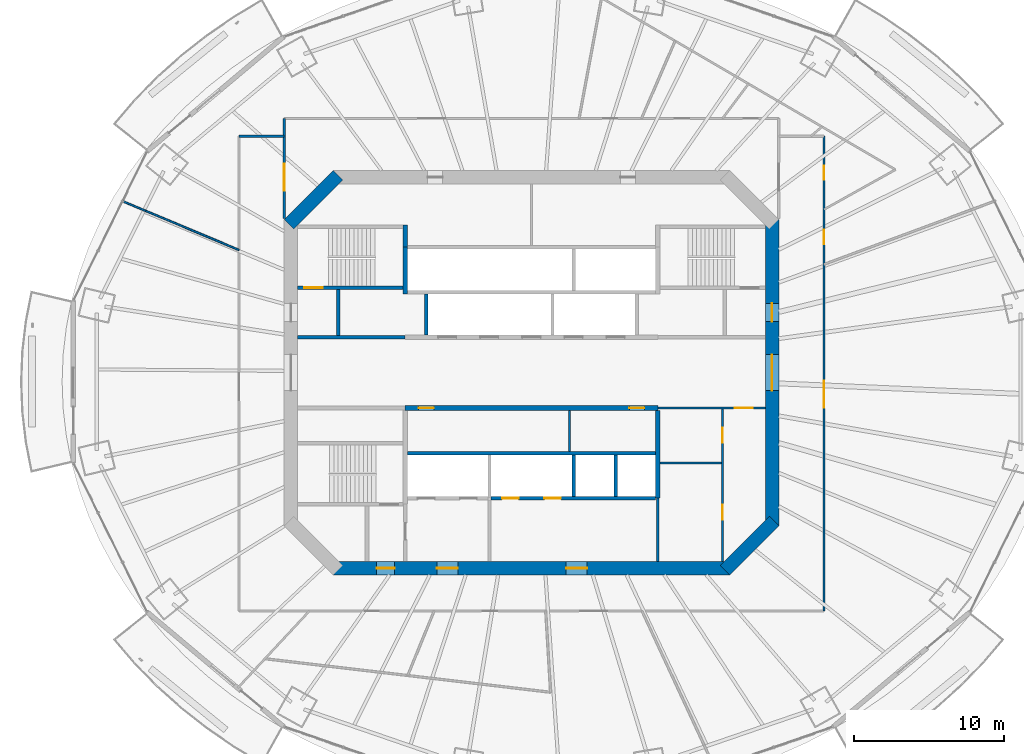
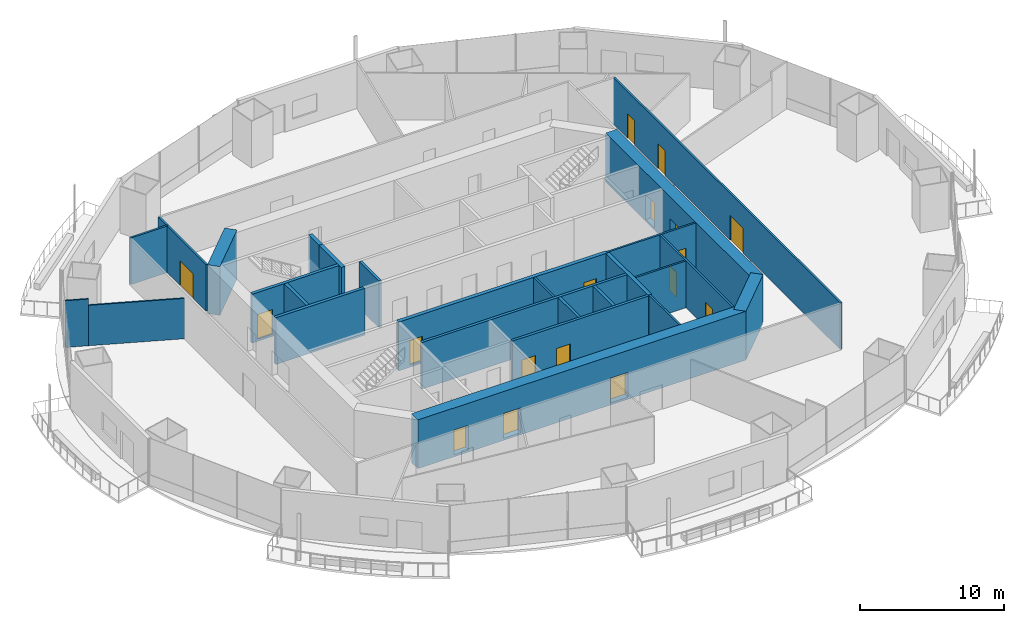
# One storey, part 13 of 21: 26 walls, 17 doors, 17 openings.
"""IFC4 building model written with IfcOpenShell, lengths in metres."""

from ifc_helpers import new_model, si_unit, direction, frame, frame_2d, origin, place, context, subcontext, project, spatial, rectangle, extrude, material, layer, layer_set, type_object, element, fill, save


model = new_model("IFC4")

# Units and contexts
model_context = context("Model", 3, precision=1e-05, world=origin(), true_north=direction((0.0, 1.0)))
body_context = subcontext(model_context, "Body", "Model", "MODEL_VIEW")
ifc_project = project(units=[si_unit("LENGTHUNIT", "METRE"), si_unit("AREAUNIT", "SQUARE_METRE"), si_unit("VOLUMEUNIT", "CUBIC_METRE"), si_unit("PLANEANGLEUNIT", "RADIAN"), si_unit("MASSUNIT", "GRAM", prefix="KILO")], contexts=[model_context])

# Site, building, storey
site_placement = place(None, origin())
site = spatial("IfcSite", under=ifc_project, at=site_placement, CompositionType="ELEMENT")
building_placement = place(site_placement, origin())
building = spatial("IfcBuilding", under=site, at=building_placement, Name="Marenthal Gate Tower", CompositionType="ELEMENT")
storey_placement = place(building_placement, frame((0.0, 0.0, 161.050048828125)))
storey = spatial("IfcBuildingStorey", under=building, at=storey_placement, Name="L34", CompositionType="ELEMENT", Elevation=161.050048828125)

# Wall
ifc_material_1 = material(Name="Concrete 60 MPa", Category="concrete")
ifc_layer_1 = layer(ifc_material_1, 0.89990234375)
ifc_layer_set_1 = layer_set([ifc_layer_1], Name="Core shear wall 900")
wall_type_1 = type_object("IfcWallType", Name="Core shear wall 900", PredefinedType="SHEAR", material=ifc_layer_set_1)
wall_1_placement = place(storey_placement, frame((12.8681640625, -13.1318359375, -0.179931640625), z_axis=(0.0, 0.0, 1.0), x_axis=(0.707106781187, 0.707106781187, 0.0)))
element("IfcWall", 1, at=wall_1_placement, inside=storey, type_object=wall_type_1, Name="Core wall 01", PredefinedType="SHEAR", context=body_context, shape_type="SweptSolid", body=[
    extrude(rectangle(XDim=4.615478515625, YDim=0.89990234375, at=frame_2d((2.3076171875, 0.0))), origin(), (0.0, 0.0, 1.0), 4.14990234375),
])

# Wall, openings, doors
wall_2_placement = place(storey_placement, frame((16.0, -10.186279296875, -0.179931640625), z_axis=(0.0, 0.0, 1.0), x_axis=(0.0, 1.0, 0.0)))
wall_2 = element("IfcWall", 2, at=wall_2_placement, inside=storey, type_object=wall_type_1, Name="Core wall 02", PredefinedType="SHEAR", context=body_context, shape_type="SweptSolid", body=[
    extrude(rectangle(XDim=20.37255859375, YDim=0.89990234375, at=frame_2d((10.186279296875, 0.0))), origin(), (0.0, 0.0, 1.0), 4.14990234375),
])
opening_1_placement = place(wall_2_placement, frame((8.986328125, 0.0, 0.179931640625)))
opening_1 = element("IfcOpeningElement", 3, at=opening_1_placement, cuts=wall_2, Name="Opening D003.02", PredefinedType="OPENING", context=body_context, shape_type="SweptSolid", body=[
    extrude(rectangle(XDim=2.39990234375, YDim=2.10009765625, at=frame_2d((1.199951171875, 1.050048828125))), frame((0.0, 0.4599609375, 0.0), z_axis=(0.0, -1.0, 0.0), x_axis=(1.0, 0.0, 0.0)), (0.0, 0.0, 1.0), 0.919921875),
])
opening_2_placement = place(wall_2_placement, frame((13.58642578125, 0.0, 0.179931640625)))
opening_2 = element("IfcOpeningElement", 4, at=opening_2_placement, cuts=wall_2, Name="Opening D001.05", PredefinedType="OPENING", context=body_context, shape_type="SweptSolid", body=[
    extrude(rectangle(XDim=1.199951171875, YDim=2.10009765625, at=frame_2d((0.60009765625, 1.050048828125))), frame((0.0, 0.4599609375, 0.0), z_axis=(0.0, -1.0, 0.0), x_axis=(1.0, 0.0, 0.0)), (0.0, 0.0, 1.0), 0.919921875),
])
ifc_material_2 = material(Name="Steel fire door", Category="steel")
door_type_1 = type_object("IfcDoorType", Name="Double fire door FD 45 2400 x 2100", OperationType="DOUBLE_DOOR_SINGLE_SWING", PredefinedType="DOOR", material=ifc_material_2)
door_1_placement = place(opening_1_placement, origin())
door_1 = element("IfcDoor", 5, at=door_1_placement, inside=storey, type_object=door_type_1, Name="Door D003.02", OperationType="DOUBLE_DOOR_SINGLE_SWING", OverallHeight=2.10009765625, OverallWidth=2.39990234375, PredefinedType="DOOR", context=body_context, shape_type="SweptSolid", body=[
    extrude(rectangle(XDim=2.39990234375, YDim=2.10009765625, at=frame_2d((1.199951171875, 1.050048828125))), frame((0.0, 0.02490234375, 0.0), z_axis=(0.0, -1.0, 0.0), x_axis=(1.0, 0.0, 0.0)), (0.0, 0.0, 1.0), 0.050048828125),
])
fill(opening_1, door_1)
ifc_material_3 = material(Name="Steel fire door", Category="steel")
door_type_2 = type_object("IfcDoorType", Name="Fire door FD 90 1200 x 2100", OperationType="NOTDEFINED", PredefinedType="DOOR", material=ifc_material_3)
door_2_placement = place(opening_2_placement, origin())
door_2 = element("IfcDoor", 6, at=door_2_placement, inside=storey, type_object=door_type_2, Name="Door D001.05", OperationType="SINGLE_SWING_RIGHT", OverallHeight=2.10009765625, OverallWidth=1.199951171875, PredefinedType="DOOR", context=body_context, shape_type="SweptSolid", body=[
    extrude(rectangle(XDim=1.199951171875, YDim=2.10009765625, at=frame_2d((0.60009765625, 1.050048828125))), frame((0.0, 0.02490234375, 0.0), z_axis=(0.0, -1.0, 0.0), x_axis=(1.0, 0.0, 0.0)), (0.0, 0.0, 1.0), 0.050048828125),
])
fill(opening_2, door_2)

# Wall
wall_3_placement = place(storey_placement, frame((-12.8681640625, 13.1318359375, -0.179931640625), z_axis=(0.0, 0.0, 1.0), x_axis=(-0.707106781187, -0.707106781187, 0.0)))
element("IfcWall", 7, at=wall_3_placement, inside=storey, type_object=wall_type_1, Name="Core wall 05", PredefinedType="SHEAR", context=body_context, shape_type="SweptSolid", body=[
    extrude(rectangle(XDim=4.615478515625, YDim=0.89990234375, at=frame_2d((2.3076171875, 0.0))), origin(), (0.0, 0.0, 1.0), 4.14990234375),
])

# Wall, openings, doors
wall_4_placement = place(storey_placement, frame((-13.186279296875, -13.0, -0.179931640625), z_axis=(0.0, 0.0, 1.0), x_axis=(1.0, 0.0, 0.0)))
wall_4 = element("IfcWall", 8, at=wall_4_placement, inside=storey, type_object=wall_type_1, Name="Core wall 08", PredefinedType="SHEAR", context=body_context, shape_type="SweptSolid", body=[
    extrude(rectangle(XDim=26.37255859375, YDim=0.89990234375, at=frame_2d((13.186279296875, 0.0))), origin(), (0.0, 0.0, 1.0), 4.14990234375),
])
opening_3_placement = place(wall_4_placement, frame((2.886474609375, 0.0, 0.179931640625)))
opening_3 = element("IfcOpeningElement", 9, at=opening_3_placement, cuts=wall_4, Name="Opening D001.06", PredefinedType="OPENING", context=body_context, shape_type="SweptSolid", body=[
    extrude(rectangle(XDim=1.199951171875, YDim=2.10009765625, at=frame_2d((0.60009765625, 1.050048828125))), frame((0.0, 0.4599609375, 0.0), z_axis=(0.0, -1.0, 0.0), x_axis=(1.0, 0.0, 0.0)), (0.0, 0.0, 1.0), 0.919921875),
])
opening_4_placement = place(wall_4_placement, frame((6.886474609375, 0.0, 0.179931640625)))
opening_4 = element("IfcOpeningElement", 10, at=opening_4_placement, cuts=wall_4, Name="Opening D004.01", PredefinedType="OPENING", context=body_context, shape_type="SweptSolid", body=[
    extrude(rectangle(XDim=1.39990234375, YDim=2.10009765625, at=frame_2d((0.699951171875, 1.050048828125))), frame((0.0, 0.4599609375, 0.0), z_axis=(0.0, -1.0, 0.0), x_axis=(1.0, 0.0, 0.0)), (0.0, 0.0, 1.0), 0.919921875),
])
opening_5_placement = place(wall_4_placement, frame((15.486328125, 0.0, 0.179931640625)))
opening_5 = element("IfcOpeningElement", 11, at=opening_5_placement, cuts=wall_4, Name="Opening D004.02", PredefinedType="OPENING", context=body_context, shape_type="SweptSolid", body=[
    extrude(rectangle(XDim=1.39990234375, YDim=2.10009765625, at=frame_2d((0.699951171875, 1.050048828125))), frame((0.0, 0.4599609375, 0.0), z_axis=(0.0, -1.0, 0.0), x_axis=(1.0, 0.0, 0.0)), (0.0, 0.0, 1.0), 0.919921875),
])
ifc_material_4 = material(Name="Steel fire door", Category="steel")
door_type_3 = type_object("IfcDoorType", Name="Fire door FD 45 1400 x 2100", OperationType="NOTDEFINED", PredefinedType="DOOR", material=ifc_material_4)
door_3_placement = place(opening_4_placement, origin())
door_3 = element("IfcDoor", 12, at=door_3_placement, inside=storey, type_object=door_type_3, Name="Door D004.01", OperationType="SINGLE_SWING_RIGHT", OverallHeight=2.10009765625, OverallWidth=1.39990234375, PredefinedType="DOOR", context=body_context, shape_type="SweptSolid", body=[
    extrude(rectangle(XDim=1.39990234375, YDim=2.10009765625, at=frame_2d((0.699951171875, 1.050048828125))), frame((0.0, 0.02490234375, 0.0), z_axis=(0.0, -1.0, 0.0), x_axis=(1.0, 0.0, 0.0)), (0.0, 0.0, 1.0), 0.050048828125),
])
fill(opening_4, door_3)
door_4_placement = place(opening_5_placement, origin())
door_4 = element("IfcDoor", 13, at=door_4_placement, inside=storey, type_object=door_type_3, Name="Door D004.02", OperationType="SINGLE_SWING_RIGHT", OverallHeight=2.10009765625, OverallWidth=1.39990234375, PredefinedType="DOOR", context=body_context, shape_type="SweptSolid", body=[
    extrude(rectangle(XDim=1.39990234375, YDim=2.10009765625, at=frame_2d((0.699951171875, 1.050048828125))), frame((0.0, 0.02490234375, 0.0), z_axis=(0.0, -1.0, 0.0), x_axis=(1.0, 0.0, 0.0)), (0.0, 0.0, 1.0), 0.050048828125),
])
fill(opening_5, door_4)
door_5_placement = place(opening_3_placement, origin())
door_5 = element("IfcDoor", 14, at=door_5_placement, inside=storey, type_object=door_type_2, Name="Door D001.06", OperationType="SINGLE_SWING_RIGHT", OverallHeight=2.10009765625, OverallWidth=1.199951171875, PredefinedType="DOOR", context=body_context, shape_type="SweptSolid", body=[
    extrude(rectangle(XDim=1.199951171875, YDim=2.10009765625, at=frame_2d((0.60009765625, 1.050048828125))), frame((0.0, 0.02490234375, 0.0), z_axis=(0.0, -1.0, 0.0), x_axis=(1.0, 0.0, 0.0)), (0.0, 0.0, 1.0), 0.050048828125),
])
fill(opening_3, door_5)

ifc_material_5 = material(Name="Concrete 50 MPa", Category="concrete")
ifc_layer_2 = layer(ifc_material_5, 0.300048828125)
ifc_layer_set_2 = layer_set([ifc_layer_2], Name="Hoistway shear wall 300")
wall_type_2 = type_object("IfcWallType", Name="Hoistway shear wall 300", PredefinedType="SHEAR", material=ifc_layer_set_2)
wall_5_placement = place(storey_placement, frame((-8.39990234375, -2.35009765625, -0.179931640625), z_axis=(0.0, 0.0, 1.0), x_axis=(1.0, 0.0, 0.0)))
wall_5 = element("IfcWall", 15, at=wall_5_placement, inside=storey, type_object=wall_type_2, Name="Hoistway wall 16", PredefinedType="SHEAR", context=body_context, shape_type="SweptSolid", body=[
    extrude(rectangle(XDim=16.7998046875, YDim=0.300048828125, at=frame_2d((8.39990234375, 0.0))), origin(), (0.0, 0.0, 1.0), 4.14990234375),
])
opening_6_placement = place(wall_5_placement, frame((0.89990234375, 0.0, 0.179931640625)))
opening_6 = element("IfcOpeningElement", 16, at=opening_6_placement, cuts=wall_5, Name="Opening D005.01", PredefinedType="OPENING", context=body_context, shape_type="SweptSolid", body=[
    extrude(rectangle(XDim=1.0, YDim=2.10009765625, at=frame_2d((0.5, 1.050048828125))), frame((0.0, 0.16015625, 0.0), z_axis=(0.0, -1.0, 0.0), x_axis=(1.0, 0.0, 0.0)), (0.0, 0.0, 1.0), 0.320068359375),
])
opening_7_placement = place(wall_5_placement, frame((14.89990234375, 0.0, 0.179931640625)))
opening_7 = element("IfcOpeningElement", 17, at=opening_7_placement, cuts=wall_5, Name="Opening D005.02", PredefinedType="OPENING", context=body_context, shape_type="SweptSolid", body=[
    extrude(rectangle(XDim=1.0, YDim=2.10009765625, at=frame_2d((0.5, 1.050048828125))), frame((0.0, 0.16015625, 0.0), z_axis=(0.0, -1.0, 0.0), x_axis=(1.0, 0.0, 0.0)), (0.0, 0.0, 1.0), 0.320068359375),
])
ifc_material_6 = material(Name="Steel fire door", Category="steel")
door_type_4 = type_object("IfcDoorType", Name="Fire door FD 45 1000 x 2100", OperationType="NOTDEFINED", PredefinedType="DOOR", material=ifc_material_6)
door_6_placement = place(opening_6_placement, frame((1.0, 0.0, 0.0), z_axis=(0.0, 0.0, 1.0), x_axis=(-1.0, 0.0, 0.0)))
door_6 = element("IfcDoor", 18, at=door_6_placement, inside=storey, type_object=door_type_4, Name="Door D005.01", OperationType="SINGLE_SWING_LEFT", OverallHeight=2.10009765625, OverallWidth=1.0, PredefinedType="DOOR", context=body_context, shape_type="SweptSolid", body=[
    extrude(rectangle(XDim=1.0, YDim=2.10009765625, at=frame_2d((0.5, 1.050048828125))), frame((0.0, 0.02490234375, 0.0), z_axis=(0.0, -1.0, 0.0), x_axis=(1.0, 0.0, 0.0)), (0.0, 0.0, 1.0), 0.050048828125),
])
fill(opening_6, door_6)
door_7_placement = place(opening_7_placement, frame((1.0, 0.0, 0.0), z_axis=(0.0, 0.0, 1.0), x_axis=(-1.0, 0.0, 0.0)))
door_7 = element("IfcDoor", 19, at=door_7_placement, inside=storey, type_object=door_type_4, Name="Door D005.02", OperationType="SINGLE_SWING_LEFT", OverallHeight=2.10009765625, OverallWidth=1.0, PredefinedType="DOOR", context=body_context, shape_type="SweptSolid", body=[
    extrude(rectangle(XDim=1.0, YDim=2.10009765625, at=frame_2d((0.5, 1.050048828125))), frame((0.0, 0.02490234375, 0.0), z_axis=(0.0, -1.0, 0.0), x_axis=(1.0, 0.0, 0.0)), (0.0, 0.0, 1.0), 0.050048828125),
])
fill(opening_7, door_7)

# Walls
wall_6_placement = place(storey_placement, frame((-8.39990234375, 5.239990234375, -0.179931640625), z_axis=(0.0, 0.0, 1.0), x_axis=(0.0, 1.0, 0.0)))
element("IfcWall", 20, at=wall_6_placement, inside=storey, type_object=wall_type_2, Name="Hoistway wall 31", PredefinedType="SHEAR", context=body_context, shape_type="SweptSolid", body=[
    extrude(rectangle(XDim=3.110107421875, YDim=0.300048828125, at=frame_2d((1.55517578125, 0.0))), origin(), (0.0, 0.0, 1.0), 4.14990234375),
])
wall_7_placement = place(storey_placement, frame((8.39990234375, -8.35009765625, -0.179931640625), z_axis=(0.0, 0.0, 1.0), x_axis=(0.0, 1.0, 0.0)))
element("IfcWall", 21, at=wall_7_placement, inside=storey, type_object=wall_type_2, Name="Hoistway wall 44", PredefinedType="SHEAR", context=body_context, shape_type="SweptSolid", body=[
    extrude(rectangle(XDim=5.85009765625, YDim=0.300048828125, at=frame_2d((2.925048828125, 0.0))), origin(), (0.0, 0.0, 1.0), 4.14990234375),
])

# Wall, openings, doors
ifc_material_7 = material(Name="Concrete 40 MPa", Category="concrete")
ifc_layer_3 = layer(ifc_material_7, 0.219970703125)
ifc_layer_set_3 = layer_set([ifc_layer_3], Name="Hoistway wall 220")
wall_type_3 = type_object("IfcWallType", Name="Hoistway wall 220", PredefinedType="STANDARD", material=ifc_layer_set_3)
wall_8_placement = place(storey_placement, frame((-2.68994140625, -8.35009765625, 0.0), z_axis=(0.0, 0.0, 1.0), x_axis=(1.0, 0.0, 0.0)))
wall_8 = element("IfcWall", 22, at=wall_8_placement, inside=storey, type_object=wall_type_3, Name="Hoistway wall 11", PredefinedType="STANDARD", context=body_context, shape_type="SweptSolid", body=[
    extrude(rectangle(XDim=10.93994140625, YDim=0.219970703125, at=frame_2d((5.469970703125, 0.0))), origin(), (0.0, 0.0, 1.0), 3.969970703125),
])
opening_8_placement = place(wall_8_placement, frame((0.739990234375, 0.0, 0.0)))
opening_8 = element("IfcOpeningElement", 23, at=opening_8_placement, cuts=wall_8, Name="Opening LD-SV1", PredefinedType="OPENING", context=body_context, shape_type="SweptSolid", body=[
    extrude(rectangle(XDim=1.10009765625, YDim=2.10009765625, at=frame_2d((0.550048828125, 1.050048828125))), frame((0.0, 0.1201171875, 0.0), z_axis=(0.0, -1.0, 0.0), x_axis=(1.0, 0.0, 0.0)), (0.0, 0.0, 1.0), 0.239990234375),
])
opening_9_placement = place(wall_8_placement, frame((3.5400390625, 0.0, 0.0)))
opening_9 = element("IfcOpeningElement", 24, at=opening_9_placement, cuts=wall_8, Name="Opening LD-SV2", PredefinedType="OPENING", context=body_context, shape_type="SweptSolid", body=[
    extrude(rectangle(XDim=1.10009765625, YDim=2.10009765625, at=frame_2d((0.550048828125, 1.050048828125))), frame((0.0, 0.1201171875, 0.0), z_axis=(0.0, -1.0, 0.0), x_axis=(1.0, 0.0, 0.0)), (0.0, 0.0, 1.0), 0.239990234375),
])
ifc_material_8 = material(Name="Stainless steel sliding door", Category="steel")
door_type_5 = type_object("IfcDoorType", Name="Lift landing door FD 90 1100 x 2100", OperationType="DOUBLE_DOOR_SLIDING", PredefinedType="DOOR", material=ifc_material_8)
door_8_placement = place(opening_8_placement, origin())
door_8 = element("IfcDoor", 25, at=door_8_placement, inside=storey, type_object=door_type_5, Name="Lift landing door SV1", OperationType="DOUBLE_DOOR_SLIDING", OverallHeight=2.10009765625, OverallWidth=1.10009765625, PredefinedType="DOOR", context=body_context, shape_type="SweptSolid", body=[
    extrude(rectangle(XDim=1.10009765625, YDim=2.10009765625, at=frame_2d((0.550048828125, 1.050048828125))), frame((0.0, 0.02490234375, 0.0), z_axis=(0.0, -1.0, 0.0), x_axis=(1.0, 0.0, 0.0)), (0.0, 0.0, 1.0), 0.050048828125),
])
fill(opening_8, door_8)
door_9_placement = place(opening_9_placement, origin())
door_9 = element("IfcDoor", 26, at=door_9_placement, inside=storey, type_object=door_type_5, Name="Lift landing door SV2", OperationType="DOUBLE_DOOR_SLIDING", OverallHeight=2.10009765625, OverallWidth=1.10009765625, PredefinedType="DOOR", context=body_context, shape_type="SweptSolid", body=[
    extrude(rectangle(XDim=1.10009765625, YDim=2.10009765625, at=frame_2d((0.550048828125, 1.050048828125))), frame((0.0, 0.02490234375, 0.0), z_axis=(0.0, -1.0, 0.0), x_axis=(1.0, 0.0, 0.0)), (0.0, 0.0, 1.0), 0.050048828125),
])
fill(opening_9, door_9)

# Walls
wall_9_placement = place(storey_placement, frame((-8.25, -5.35009765625, 0.0), z_axis=(0.0, 0.0, 1.0), x_axis=(1.0, 0.0, 0.0)))
element("IfcWall", 27, at=wall_9_placement, inside=storey, type_object=wall_type_3, Name="Hoistway wall 13", PredefinedType="STANDARD", context=body_context, shape_type="SweptSolid", body=[
    extrude(rectangle(XDim=16.5, YDim=0.219970703125, at=frame_2d((8.25, 0.0))), origin(), (0.0, 0.0, 1.0), 3.969970703125),
])
wall_10_placement = place(storey_placement, frame((-7.0, 2.5, 0.0), z_axis=(0.0, 0.0, 1.0), x_axis=(0.0, 1.0, 0.0)))
element("IfcWall", 28, at=wall_10_placement, inside=storey, type_object=wall_type_3, Name="Hoistway wall 33", PredefinedType="STANDARD", context=body_context, shape_type="SweptSolid", body=[
    extrude(rectangle(XDim=2.739990234375, YDim=0.219970703125, at=frame_2d((1.3701171875, 0.0))), origin(), (0.0, 0.0, 1.0), 3.969970703125),
])
for number, where, z_axis, x_axis, name in (
    (29, (2.800048828125, -8.239990234375, 0.0), (0.0, 0.0, 1.0), (0.0, 1.0, 0.0), "Hoistway wall 39"),
    (30, (5.60009765625, -8.239990234375, 0.0), (0.0, 0.0, 1.0), (0.0, 1.0, 0.0), "Hoistway wall 41"),
):
    element("IfcWall", number, at=place(storey_placement, frame(where, z_axis=z_axis, x_axis=x_axis)), inside=storey, type_object=wall_type_3, Name=name, PredefinedType="STANDARD", context=body_context, shape_type="SweptSolid", body=[
        extrude(rectangle(XDim=2.780029296875, YDim=0.219970703125, at=frame_2d((1.39013671875, 0.0))), origin(), (0.0, 0.0, 1.0), 3.969970703125),
    ])
ifc_material_9 = material(Name="Gypsum board on steel studs", Category="steel")
ifc_layer_4 = layer(ifc_material_9, 0.1201171875)
ifc_layer_set_4 = layer_set([ifc_layer_4], Name="Partition 120")
wall_type_4 = type_object("IfcWallType", Name="Partition 120", PredefinedType="PARTITIONING", material=ifc_layer_set_4)
wall_11_placement = place(storey_placement, frame((-19.449951171875, 8.156494140625, 0.0), z_axis=(0.0, 0.0, 1.0), x_axis=(-0.922204794335, 0.386701845489, 0.0)))
element("IfcWall", 31, at=wall_11_placement, inside=storey, type_object=wall_type_4, Name="Partition wall 50", PredefinedType="PARTITIONING", context=body_context, shape_type="SweptSolid", body=[
    extrude(rectangle(XDim=6.743408203125, YDim=0.1201171875, at=frame_2d((3.37158203125, 0.0))), origin(), (0.0, 0.0, 1.0), 3.433837890625),
])
wall_12_placement = place(storey_placement, frame((-25.668701171875, 10.76416015625, 0.0), z_axis=(0.0, 0.0, 1.0), x_axis=(-0.922189295002, 0.386738806151, 0.0)))
element("IfcWall", 32, at=wall_12_placement, inside=storey, type_object=wall_type_4, Name="Partition wall 70", PredefinedType="PARTITIONING", context=body_context, shape_type="SweptSolid", body=[
    extrude(rectangle(XDim=1.656494140625, YDim=0.1201171875, at=frame_2d((0.828125, 0.0))), origin(), (0.0, 0.0, 1.0), 3.969970703125),
])
ifc_material_10 = material(Name="Gypsum board on steel studs", Category="steel")
ifc_layer_5 = layer(ifc_material_10, 0.14990234375)
ifc_layer_set_5 = layer_set([ifc_layer_5], Name="Partition 150")
wall_type_5 = type_object("IfcWallType", Name="Partition 150", PredefinedType="PARTITIONING", material=ifc_layer_set_5)
wall_13_placement = place(storey_placement, frame((8.550048828125, -6.0, 0.0), z_axis=(0.0, 0.0, 1.0), x_axis=(1.0, 0.0, 0.0)))
element("IfcWall", 33, at=wall_13_placement, inside=storey, type_object=wall_type_5, Name="Partition wall 12", PredefinedType="PARTITIONING", context=body_context, shape_type="SweptSolid", body=[
    extrude(rectangle(XDim=4.074951171875, YDim=0.14990234375, at=frame_2d((2.03759765625, 0.0))), origin(), (0.0, 0.0, 1.0), 3.969970703125),
])

# Wall, opening, door
wall_14_placement = place(storey_placement, frame((8.39990234375, -2.35009765625, 0.0), z_axis=(0.0, 0.0, 1.0), x_axis=(1.0, 0.0, 0.0)))
wall_14 = element("IfcWall", 34, at=wall_14_placement, inside=storey, type_object=wall_type_5, Name="Partition wall 17", PredefinedType="PARTITIONING", context=body_context, shape_type="SweptSolid", body=[
    extrude(rectangle(XDim=7.150146484375, YDim=0.14990234375, at=frame_2d((3.5751953125, 0.0))), origin(), (0.0, 0.0, 1.0), 3.969970703125),
])
opening_10_placement = place(wall_14_placement, frame((5.125, 0.0, 0.0)))
opening_10 = element("IfcOpeningElement", 35, at=opening_10_placement, cuts=wall_14, Name="Opening D006.01", PredefinedType="OPENING", context=body_context, shape_type="SweptSolid", body=[
    extrude(rectangle(XDim=1.199951171875, YDim=2.10009765625, at=frame_2d((0.60009765625, 1.050048828125))), frame((0.0, 0.0849609375, 0.0), z_axis=(0.0, -1.0, 0.0), x_axis=(1.0, 0.0, 0.0)), (0.0, 0.0, 1.0), 0.169921875),
])
ifc_material_11 = material(Name="Steel fire door", Category="steel")
door_type_6 = type_object("IfcDoorType", Name="Fire door FD 45 1200 x 2100", OperationType="NOTDEFINED", PredefinedType="DOOR", material=ifc_material_11)
door_10_placement = place(opening_10_placement, frame((1.199951171875, 0.0, 0.0), z_axis=(0.0, 0.0, 1.0), x_axis=(-1.0, 0.0, 0.0)))
door_10 = element("IfcDoor", 36, at=door_10_placement, inside=storey, type_object=door_type_6, Name="Door D006.01", OperationType="SINGLE_SWING_LEFT", OverallHeight=2.10009765625, OverallWidth=1.199951171875, PredefinedType="DOOR", context=body_context, shape_type="SweptSolid", body=[
    extrude(rectangle(XDim=1.199951171875, YDim=2.10009765625, at=frame_2d((0.60009765625, 1.050048828125))), frame((0.0, 0.02490234375, 0.0), z_axis=(0.0, -1.0, 0.0), x_axis=(1.0, 0.0, 0.0)), (0.0, 0.0, 1.0), 0.050048828125),
])
fill(opening_10, door_10)

# Walls
wall_15_placement = place(storey_placement, frame((2.52001953125, -5.239990234375, 0.0), z_axis=(0.0, 0.0, 1.0), x_axis=(0.0, 1.0, 0.0)))
element("IfcWall", 37, at=wall_15_placement, inside=storey, type_object=wall_type_5, Name="Partition wall 38", PredefinedType="PARTITIONING", context=body_context, shape_type="SweptSolid", body=[
    extrude(rectangle(XDim=2.739990234375, YDim=0.14990234375, at=frame_2d((1.3701171875, 0.0))), origin(), (0.0, 0.0, 1.0), 3.969970703125),
])
wall_16_placement = place(storey_placement, frame((8.39990234375, -12.550048828125, 0.0), z_axis=(0.0, 0.0, 1.0), x_axis=(0.0, 1.0, 0.0)))
element("IfcWall", 38, at=wall_16_placement, inside=storey, type_object=wall_type_5, Name="Partition wall 43", PredefinedType="PARTITIONING", context=body_context, shape_type="SweptSolid", body=[
    extrude(rectangle(XDim=4.199951171875, YDim=0.14990234375, at=frame_2d((2.10009765625, 0.0))), origin(), (0.0, 0.0, 1.0), 3.969970703125),
])

# Wall, openings, doors
wall_17_placement = place(storey_placement, frame((12.699951171875, -12.550048828125, 0.0), z_axis=(0.0, 0.0, 1.0), x_axis=(0.0, 1.0, 0.0)))
wall_17 = element("IfcWall", 39, at=wall_17_placement, inside=storey, type_object=wall_type_5, Name="Partition wall 47", PredefinedType="PARTITIONING", context=body_context, shape_type="SweptSolid", body=[
    extrude(rectangle(XDim=10.125, YDim=0.14990234375, at=frame_2d((5.0625, 0.0))), origin(), (0.0, 0.0, 1.0), 3.969970703125),
])
opening_11_placement = place(wall_17_placement, frame((7.875, 0.0, 0.0)))
opening_11 = element("IfcOpeningElement", 40, at=opening_11_placement, cuts=wall_17, Name="Opening D005.05", PredefinedType="OPENING", context=body_context, shape_type="SweptSolid", body=[
    extrude(rectangle(XDim=1.0, YDim=2.10009765625, at=frame_2d((0.5, 1.050048828125))), frame((0.0, 0.0849609375, 0.0), z_axis=(0.0, -1.0, 0.0), x_axis=(1.0, 0.0, 0.0)), (0.0, 0.0, 1.0), 0.169921875),
])
opening_12_placement = place(wall_17_placement, frame((2.77490234375, 0.0, 0.0)))
opening_12 = element("IfcOpeningElement", 41, at=opening_12_placement, cuts=wall_17, Name="Opening D005.06", PredefinedType="OPENING", context=body_context, shape_type="SweptSolid", body=[
    extrude(rectangle(XDim=1.0, YDim=2.10009765625, at=frame_2d((0.5, 1.050048828125))), frame((0.0, 0.0849609375, 0.0), z_axis=(0.0, -1.0, 0.0), x_axis=(1.0, 0.0, 0.0)), (0.0, 0.0, 1.0), 0.169921875),
])
door_11_placement = place(opening_11_placement, origin())
door_11 = element("IfcDoor", 42, at=door_11_placement, inside=storey, type_object=door_type_4, Name="Door D005.05", OperationType="SINGLE_SWING_RIGHT", OverallHeight=2.10009765625, OverallWidth=1.0, PredefinedType="DOOR", context=body_context, shape_type="SweptSolid", body=[
    extrude(rectangle(XDim=1.0, YDim=2.10009765625, at=frame_2d((0.5, 1.050048828125))), frame((0.0, 0.02490234375, 0.0), z_axis=(0.0, -1.0, 0.0), x_axis=(1.0, 0.0, 0.0)), (0.0, 0.0, 1.0), 0.050048828125),
])
fill(opening_11, door_11)
door_12_placement = place(opening_12_placement, origin())
door_12 = element("IfcDoor", 43, at=door_12_placement, inside=storey, type_object=door_type_4, Name="Door D005.06", OperationType="SINGLE_SWING_RIGHT", OverallHeight=2.10009765625, OverallWidth=1.0, PredefinedType="DOOR", context=body_context, shape_type="SweptSolid", body=[
    extrude(rectangle(XDim=1.0, YDim=2.10009765625, at=frame_2d((0.5, 1.050048828125))), frame((0.0, 0.02490234375, 0.0), z_axis=(0.0, -1.0, 0.0), x_axis=(1.0, 0.0, 0.0)), (0.0, 0.0, 1.0), 0.050048828125),
])
fill(opening_12, door_12)

# Wall
wall_18_placement = place(storey_placement, frame((-19.449951171875, 15.731689453125, 0.0), z_axis=(0.0, 0.0, 1.0), x_axis=(1.0, 0.0, 0.0)))
element("IfcWall", 44, at=wall_18_placement, inside=storey, type_object=wall_type_5, Name="Partition wall 51", PredefinedType="PARTITIONING", context=body_context, shape_type="SweptSolid", body=[
    extrude(rectangle(XDim=3.0, YDim=0.14990234375, at=frame_2d((1.5, 0.0))), origin(), (0.0, 0.0, 1.0), 3.969970703125),
])

# Wall, opening, door
wall_19_placement = place(storey_placement, frame((-16.449951171875, 10.25, 0.0), z_axis=(0.0, 0.0, 1.0), x_axis=(0.0, 1.0, 0.0)))
wall_19 = element("IfcWall", 45, at=wall_19_placement, inside=storey, type_object=wall_type_5, Name="Partition wall 53", PredefinedType="PARTITIONING", context=body_context, shape_type="SweptSolid", body=[
    extrude(rectangle(XDim=6.65380859375, YDim=0.14990234375, at=frame_2d((3.326904296875, 0.0))), origin(), (0.0, 0.0, 1.0), 3.969970703125),
])
opening_13_placement = place(wall_19_placement, frame((1.841064453125, 0.0, 0.0)))
opening_13 = element("IfcOpeningElement", 46, at=opening_13_placement, cuts=wall_19, Name="Opening D014.05", PredefinedType="OPENING", context=body_context, shape_type="SweptSolid", body=[
    extrude(rectangle(XDim=1.800048828125, YDim=2.10009765625, at=frame_2d((0.89990234375, 1.050048828125))), frame((0.0, 0.0849609375, 0.0), z_axis=(0.0, -1.0, 0.0), x_axis=(1.0, 0.0, 0.0)), (0.0, 0.0, 1.0), 0.169921875),
])
ifc_material_12 = material(Name="Timber door", Category="wood")
door_type_7 = type_object("IfcDoorType", Name="Double door 1800 x 2100", OperationType="DOUBLE_DOOR_SINGLE_SWING", PredefinedType="DOOR", material=ifc_material_12)
door_13_placement = place(opening_13_placement, origin())
door_13 = element("IfcDoor", 47, at=door_13_placement, inside=storey, type_object=door_type_7, Name="Door D014.05", OperationType="DOUBLE_DOOR_SINGLE_SWING", OverallHeight=2.10009765625, OverallWidth=1.800048828125, PredefinedType="DOOR", context=body_context, shape_type="SweptSolid", body=[
    extrude(rectangle(XDim=1.800048828125, YDim=2.10009765625, at=frame_2d((0.89990234375, 1.050048828125))), frame((0.0, 0.02490234375, 0.0), z_axis=(0.0, -1.0, 0.0), x_axis=(1.0, 0.0, 0.0)), (0.0, 0.0, 1.0), 0.050048828125),
])
fill(opening_13, door_13)

# Wall, openings, doors
wall_20_placement = place(storey_placement, frame((19.449951171875, 15.731689453125, 0.0), z_axis=(0.0, 0.0, 1.0), x_axis=(0.0, -1.0, 0.0)))
wall_20 = element("IfcWall", 48, at=wall_20_placement, inside=storey, type_object=wall_type_5, Name="Partition wall 67", PredefinedType="PARTITIONING", context=body_context, shape_type="SweptSolid", body=[
    extrude(rectangle(XDim=31.581787109375, YDim=0.14990234375, at=frame_2d((15.791015625, 0.0))), origin(), (0.0, 0.0, 1.0), 3.969970703125),
])
opening_14_placement = place(wall_20_placement, frame((1.966064453125, 0.0, 0.0)))
opening_14 = element("IfcOpeningElement", 49, at=opening_14_placement, cuts=wall_20, Name="Opening D016.01", PredefinedType="OPENING", context=body_context, shape_type="SweptSolid", body=[
    extrude(rectangle(XDim=0.949951171875, YDim=2.10009765625, at=frame_2d((0.47509765625, 1.050048828125))), frame((0.0, 0.0849609375, 0.0), z_axis=(0.0, -1.0, 0.0), x_axis=(1.0, 0.0, 0.0)), (0.0, 0.0, 1.0), 0.169921875),
])
opening_15_placement = place(wall_20_placement, frame((6.22998046875, 0.0, 0.0)))
opening_15 = element("IfcOpeningElement", 50, at=opening_15_placement, cuts=wall_20, Name="Opening D016.05", PredefinedType="OPENING", context=body_context, shape_type="SweptSolid", body=[
    extrude(rectangle(XDim=0.949951171875, YDim=2.10009765625, at=frame_2d((0.47509765625, 1.050048828125))), frame((0.0, 0.0849609375, 0.0), z_axis=(0.0, -1.0, 0.0), x_axis=(1.0, 0.0, 0.0)), (0.0, 0.0, 1.0), 0.169921875),
])
opening_16_placement = place(wall_20_placement, frame((16.2548828125, 0.0, 0.0)))
opening_16 = element("IfcOpeningElement", 51, at=opening_16_placement, cuts=wall_20, Name="Opening D014.04", PredefinedType="OPENING", context=body_context, shape_type="SweptSolid", body=[
    extrude(rectangle(XDim=1.800048828125, YDim=2.10009765625, at=frame_2d((0.89990234375, 1.050048828125))), frame((0.0, 0.0849609375, 0.0), z_axis=(0.0, -1.0, 0.0), x_axis=(1.0, 0.0, 0.0)), (0.0, 0.0, 1.0), 0.169921875),
])
ifc_material_13 = material(Name="Timber door", Category="wood")
door_type_8 = type_object("IfcDoorType", Name="Door 950 x 2100", OperationType="NOTDEFINED", PredefinedType="DOOR", material=ifc_material_13)
door_14_placement = place(opening_14_placement, origin())
door_14 = element("IfcDoor", 52, at=door_14_placement, inside=storey, type_object=door_type_8, Name="Door D016.01", OperationType="SINGLE_SWING_RIGHT", OverallHeight=2.10009765625, OverallWidth=0.949951171875, PredefinedType="DOOR", context=body_context, shape_type="SweptSolid", body=[
    extrude(rectangle(XDim=0.949951171875, YDim=2.10009765625, at=frame_2d((0.47509765625, 1.050048828125))), frame((0.0, 0.02490234375, 0.0), z_axis=(0.0, -1.0, 0.0), x_axis=(1.0, 0.0, 0.0)), (0.0, 0.0, 1.0), 0.050048828125),
])
fill(opening_14, door_14)
door_15_placement = place(opening_15_placement, origin())
door_15 = element("IfcDoor", 53, at=door_15_placement, inside=storey, type_object=door_type_8, Name="Door D016.05", OperationType="SINGLE_SWING_RIGHT", OverallHeight=2.10009765625, OverallWidth=0.949951171875, PredefinedType="DOOR", context=body_context, shape_type="SweptSolid", body=[
    extrude(rectangle(XDim=0.949951171875, YDim=2.10009765625, at=frame_2d((0.47509765625, 1.050048828125))), frame((0.0, 0.02490234375, 0.0), z_axis=(0.0, -1.0, 0.0), x_axis=(1.0, 0.0, 0.0)), (0.0, 0.0, 1.0), 0.050048828125),
])
fill(opening_15, door_15)
door_16_placement = place(opening_16_placement, origin())
door_16 = element("IfcDoor", 54, at=door_16_placement, inside=storey, type_object=door_type_7, Name="Door D014.04", OperationType="DOUBLE_DOOR_SINGLE_SWING", OverallHeight=2.10009765625, OverallWidth=1.800048828125, PredefinedType="DOOR", context=body_context, shape_type="SweptSolid", body=[
    extrude(rectangle(XDim=1.800048828125, YDim=2.10009765625, at=frame_2d((0.89990234375, 1.050048828125))), frame((0.0, 0.02490234375, 0.0), z_axis=(0.0, -1.0, 0.0), x_axis=(1.0, 0.0, 0.0)), (0.0, 0.0, 1.0), 0.050048828125),
])
fill(opening_16, door_16)

# Walls
ifc_material_14 = material(Name="Concrete 40 MPa", Category="concrete")
ifc_layer_6 = layer(ifc_material_14, 0.25)
ifc_layer_set_6 = layer_set([ifc_layer_6], Name="Stair enclosure wall 250")
wall_type_6 = type_object("IfcWallType", Name="Stair enclosure wall 250", PredefinedType="STANDARD", material=ifc_layer_set_6)
wall_21_placement = place(storey_placement, frame((-15.550048828125, 2.35009765625, 0.0), z_axis=(0.0, 0.0, 1.0), x_axis=(1.0, 0.0, 0.0)))
element("IfcWall", 55, at=wall_21_placement, inside=storey, type_object=wall_type_6, Name="Stair wall 18", PredefinedType="STANDARD", context=body_context, shape_type="SweptSolid", body=[
    extrude(rectangle(XDim=7.150146484375, YDim=0.25, at=frame_2d((3.5751953125, 0.0))), origin(), (0.0, 0.0, 1.0), 3.969970703125),
])
wall_22_placement = place(storey_placement, frame((-12.85009765625, 2.47509765625, 0.0), z_axis=(0.0, 0.0, 1.0), x_axis=(0.0, 1.0, 0.0)))
element("IfcWall", 56, at=wall_22_placement, inside=storey, type_object=wall_type_6, Name="Stair wall 27", PredefinedType="STANDARD", context=body_context, shape_type="SweptSolid", body=[
    extrude(rectangle(XDim=3.0498046875, YDim=0.25, at=frame_2d((1.52490234375, 0.0))), origin(), (0.0, 0.0, 1.0), 3.969970703125),
])

# Wall, opening, door
ifc_material_15 = material(Name="Concrete 50 MPa", Category="concrete")
ifc_layer_7 = layer(ifc_material_15, 0.25)
ifc_layer_set_7 = layer_set([ifc_layer_7], Name="Stair shear wall 250")
wall_type_7 = type_object("IfcWallType", Name="Stair shear wall 250", PredefinedType="SHEAR", material=ifc_layer_set_7)
wall_23_placement = place(storey_placement, frame((-15.550048828125, 5.64990234375, -0.179931640625), z_axis=(0.0, 0.0, 1.0), x_axis=(1.0, 0.0, 0.0)))
wall_23 = element("IfcWall", 57, at=wall_23_placement, inside=storey, type_object=wall_type_7, Name="Stair wall 22", PredefinedType="SHEAR", context=body_context, shape_type="SweptSolid", body=[
    extrude(rectangle(XDim=7.0, YDim=0.25, at=frame_2d((3.5, 0.0))), origin(), (0.0, 0.0, 1.0), 4.14990234375),
])
opening_17_placement = place(wall_23_placement, frame((0.449951171875, 0.0, 0.179931640625)))
opening_17 = element("IfcOpeningElement", 58, at=opening_17_placement, cuts=wall_23, Name="Opening D001.01", PredefinedType="OPENING", context=body_context, shape_type="SweptSolid", body=[
    extrude(rectangle(XDim=1.199951171875, YDim=2.10009765625, at=frame_2d((0.60009765625, 1.050048828125))), frame((0.0, 0.135009765625, 0.0), z_axis=(0.0, -1.0, 0.0), x_axis=(1.0, 0.0, 0.0)), (0.0, 0.0, 1.0), 0.27001953125),
])
door_17_placement = place(opening_17_placement, origin())
door_17 = element("IfcDoor", 59, at=door_17_placement, inside=storey, type_object=door_type_2, Name="Door D001.01", OperationType="SINGLE_SWING_RIGHT", OverallHeight=2.10009765625, OverallWidth=1.199951171875, PredefinedType="DOOR", context=body_context, shape_type="SweptSolid", body=[
    extrude(rectangle(XDim=1.199951171875, YDim=2.10009765625, at=frame_2d((0.60009765625, 1.050048828125))), frame((0.0, 0.02490234375, 0.0), z_axis=(0.0, -1.0, 0.0), x_axis=(1.0, 0.0, 0.0)), (0.0, 0.0, 1.0), 0.050048828125),
])
fill(opening_17, door_17)

# Wall
ifc_material_16 = material(Name="Concrete 50 MPa", Category="concrete")
ifc_layer_8 = layer(ifc_material_16, 0.300048828125)
ifc_layer_set_8 = layer_set([ifc_layer_8], Name="Stair shear wall 300")
wall_type_8 = type_object("IfcWallType", Name="Stair shear wall 300", PredefinedType="SHEAR", material=ifc_layer_set_8)
wall_24_placement = place(storey_placement, frame((-8.39990234375, 8.35009765625, -0.179931640625), z_axis=(0.0, 0.0, 1.0), x_axis=(0.0, 1.0, 0.0)))
element("IfcWall", 60, at=wall_24_placement, inside=storey, type_object=wall_type_8, Name="Stair wall 32", PredefinedType="SHEAR", context=body_context, shape_type="SweptSolid", body=[
    extrude(rectangle(XDim=1.474853515625, YDim=0.300048828125, at=frame_2d((0.7373046875, 0.0))), origin(), (0.0, 0.0, 1.0), 4.14990234375),
])

save(model, "model.ifc")
